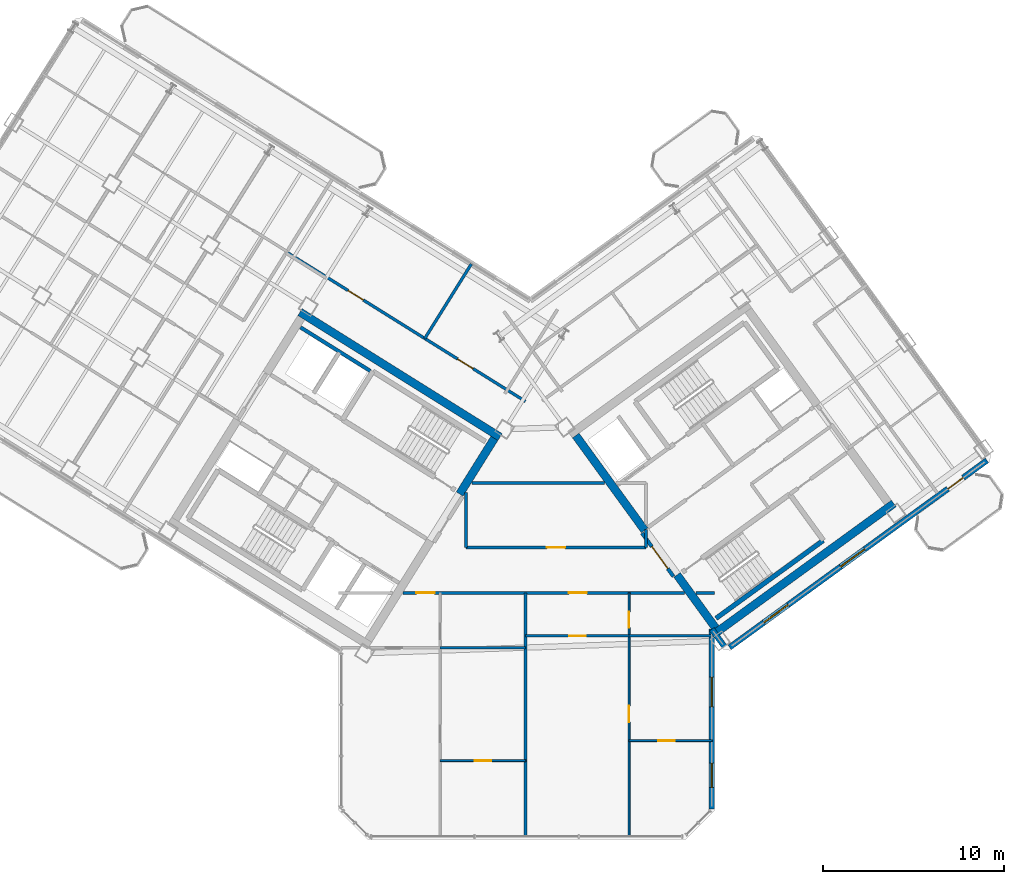
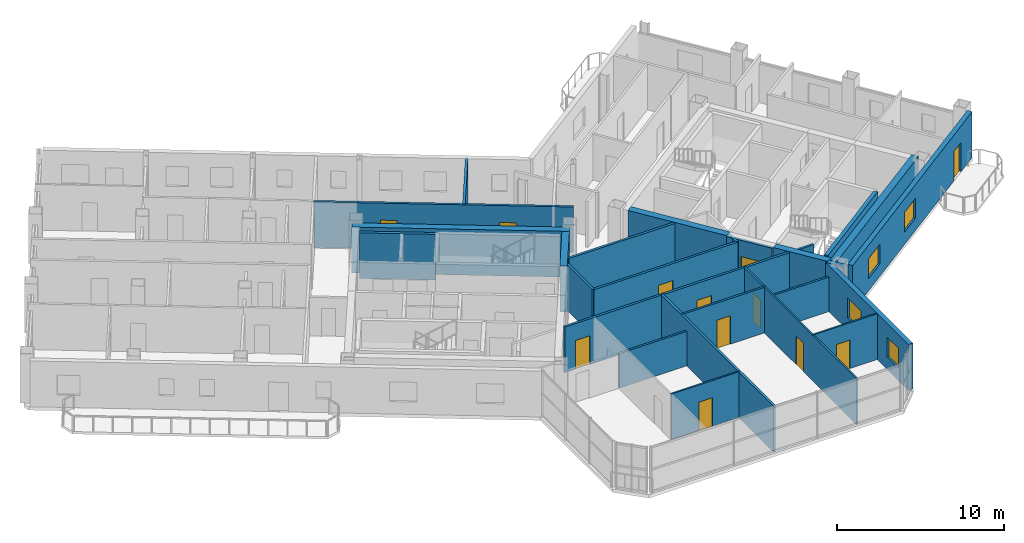
# One storey, part 13 of 21: 26 walls, 12 doors, 4 windows, 16 openings.
"""IFC4 building model written with IfcOpenShell, lengths in metres."""

from ifc_helpers import new_model, si_unit, direction, frame, frame_2d, origin, place, context, subcontext, project, spatial, rectangle, extrude, source, transform, mapped, material, layer, layer_set, type_object, element, fill, save


model = new_model("IFC4")

# Units and contexts
model_context = context("Model", 3, precision=1e-05, world=origin(), true_north=direction((0.0, 1.0)))
body_context = subcontext(model_context, "Body", "Model", "MODEL_VIEW")
ifc_project = project(units=[si_unit("LENGTHUNIT", "METRE"), si_unit("AREAUNIT", "SQUARE_METRE"), si_unit("VOLUMEUNIT", "CUBIC_METRE"), si_unit("PLANEANGLEUNIT", "RADIAN"), si_unit("MASSUNIT", "GRAM", prefix="KILO")], contexts=[model_context])

# Site, building, storey
site_placement = place(None, origin())
site = spatial("IfcSite", under=ifc_project, at=site_placement, CompositionType="ELEMENT")
building_placement = place(site_placement, origin())
building = spatial("IfcBuilding", under=site, at=building_placement, Name="Tlacorven Tower", CompositionType="ELEMENT")
storey_placement = place(building_placement, frame((0.0, 0.0, 222.0)))
storey = spatial("IfcBuildingStorey", under=building, at=storey_placement, Name="L56", CompositionType="ELEMENT", Elevation=222.0)

# Walls
ifc_material_1 = material(Name="Concrete C50/60", Category="concrete")
ifc_layer_1 = layer(ifc_material_1, 0.449951171875)
ifc_layer_set_1 = layer_set([ifc_layer_1], Name="Concrete C50/60")
wall_type_1 = type_object("IfcWallType", Name="WL-COR-450", PredefinedType="SHEAR", material=ifc_layer_set_1)
wall_1_placement = place(storey_placement, frame((40.53076171875, 24.036376953125, 0.0), z_axis=(0.0, 0.0, 1.0), x_axis=(-0.848048787466, 0.529918157905, 0.0)))
element("IfcWall", 1, at=wall_1_placement, inside=storey, type_object=wall_type_1, Name="L56 W core shear wall S1", PredefinedType="SHEAR", context=body_context, shape_type="SweptSolid", body=[
    extrude(rectangle(XDim=13.0400390625, YDim=0.449951171875, at=frame_2d((6.52001953125, 0.0))), origin(), (0.0, 0.0, 1.0), 3.35009765625),
])
wall_2_placement = place(storey_placement, frame((40.220703125, 23.96484375, 0.0), z_axis=(0.0, 0.0, 1.0), x_axis=(-0.529902075036, -0.848058836916, 0.0)))
element("IfcWall", 2, at=wall_2_placement, inside=storey, type_object=wall_type_1, Name="L56 W core end wall E1.1", PredefinedType="SHEAR", context=body_context, shape_type="SweptSolid", body=[
    extrude(rectangle(XDim=3.625, YDim=0.449951171875, at=frame_2d((1.8125, 0.0))), origin(), (0.0, 0.0, 1.0), 3.35009765625),
])
wall_3_placement = place(storey_placement, frame((52.3994140625, 13.169189453125, 0.0), z_axis=(0.0, 0.0, 1.0), x_axis=(0.809022352778, 0.587777877013, 0.0)))
element("IfcWall", 3, at=wall_3_placement, inside=storey, type_object=wall_type_1, Name="L56 E core shear wall S1", PredefinedType="SHEAR", context=body_context, shape_type="SweptSolid", body=[
    extrude(rectangle(XDim=12.239990234375, YDim=0.449951171875, at=frame_2d((6.1201171875, 0.0))), origin(), (0.0, 0.0, 1.0), 3.35009765625),
])
wall_4_placement = place(storey_placement, frame((52.44921875, 13.4833984375, 0.0), z_axis=(0.0, 0.0, 1.0), x_axis=(-0.587819244441, 0.808992296542, 0.0)))
element("IfcWall", 4, at=wall_4_placement, inside=storey, type_object=wall_type_1, Name="L56 E core end wall E1.1", PredefinedType="SHEAR", context=body_context, shape_type="SweptSolid", body=[
    extrude(rectangle(XDim=3.625, YDim=0.449951171875, at=frame_2d((1.8125, 0.0))), origin(), (0.0, 0.0, 1.0), 3.35009765625),
])
wall_5_placement = place(storey_placement, frame((48.525634765625, 18.883544921875, 0.0), z_axis=(0.0, 0.0, 1.0), x_axis=(-0.587774812919, 0.809024578921, 0.0)))
element("IfcWall", 5, at=wall_5_placement, inside=storey, type_object=wall_type_1, Name="L56 E core end wall E1.2", PredefinedType="SHEAR", context=body_context, shape_type="SweptSolid", body=[
    extrude(rectangle(XDim=6.47509765625, YDim=0.449951171875, at=frame_2d((3.237548828125, 0.0))), origin(), (0.0, 0.0, 1.0), 3.35009765625),
])

# Wall, openings, doors
ifc_material_2 = material(Name="Gypsum plasterboard acoustic partition", Category="gypsum")
ifc_layer_2 = layer(ifc_material_2, 0.159912109375)
ifc_layer_set_2 = layer_set([ifc_layer_2], Name="Gypsum plasterboard acoustic partition")
wall_type_2 = type_object("IfcWallType", Name="WL-DEM-160", PredefinedType="PARTITIONING", material=ifc_layer_set_2)
wall_6_placement = place(storey_placement, frame((41.93603515625, 26.011962890625, 0.0), z_axis=(0.0, 0.0, 1.0), x_axis=(-0.848051154596, 0.529914369676, 0.0)))
wall_6 = element("IfcWall", 6, at=wall_6_placement, inside=storey, type_object=wall_type_2, Name="L56 partition 58", PredefinedType="PARTITIONING", context=body_context, shape_type="SweptSolid", body=[
    extrude(rectangle(XDim=15.56982421875, YDim=0.159912109375, at=frame_2d((7.784912109375, 0.0))), origin(), (0.0, 0.0, 1.0), 3.340087890625),
])
opening_1_placement = place(wall_6_placement, frame((3.4150390625, 0.0, 0.0)))
opening_1 = element("IfcOpeningElement", 7, at=opening_1_placement, cuts=wall_6, Name="Opening D11", PredefinedType="OPENING", context=body_context, shape_type="SweptSolid", body=[
    extrude(rectangle(XDim=1.0, YDim=2.10009765625, at=frame_2d((0.5, 1.050048828125))), frame((0.0, 0.08984375, 0.0), z_axis=(0.0, -1.0, 0.0), x_axis=(1.0, 0.0, 0.0)), (0.0, 0.0, 1.0), 0.179931640625),
])
opening_2_placement = place(wall_6_placement, frame((10.56494140625, 0.0, 0.0)))
opening_2 = element("IfcOpeningElement", 8, at=opening_2_placement, cuts=wall_6, Name="Opening D11", PredefinedType="OPENING", context=body_context, shape_type="SweptSolid", body=[
    extrude(rectangle(XDim=1.0, YDim=2.10009765625, at=frame_2d((0.5, 1.050048828125))), frame((0.0, 0.08984375, 0.0), z_axis=(0.0, -1.0, 0.0), x_axis=(1.0, 0.0, 0.0)), (0.0, 0.0, 1.0), 0.179931640625),
])
ifc_material_3 = material(Name="Fire-rated steel door assembly", Category="steel")
door_type_1 = type_object("IfcDoorType", Name="DR-FLT-FD60-1000", OperationType="NOTDEFINED", PredefinedType="DOOR", material=ifc_material_3)
shared_shape_1 = source(origin(), body_context, "Body", "SweptSolid", [
    extrude(rectangle(XDim=1.0, YDim=2.10009765625, at=frame_2d((0.5, 1.050048828125))), frame((0.0, 0.02490234375, 0.0), z_axis=(0.0, -1.0, 0.0), x_axis=(1.0, 0.0, 0.0)), (0.0, 0.0, 1.0), 0.050048828125),
])
door_1_placement = place(opening_1_placement, origin())
door_1 = element("IfcDoor", 9, at=door_1_placement, inside=storey, type_object=door_type_1, Name="L56 door 038", OperationType="SINGLE_SWING_LEFT", OverallHeight=2.10009765625, OverallWidth=1.0, PredefinedType="DOOR", context=body_context, shape_type="MappedRepresentation", body=[
    mapped(shared_shape_1, transform((0.0, 0.0, 0.0), scale=1.0)),
])
fill(opening_1, door_1)
door_2_placement = place(opening_2_placement, origin())
door_2 = element("IfcDoor", 10, at=door_2_placement, inside=storey, type_object=door_type_1, Name="L56 door 039", OperationType="SINGLE_SWING_RIGHT", OverallHeight=2.10009765625, OverallWidth=1.0, PredefinedType="DOOR", context=body_context, shape_type="MappedRepresentation", body=[
    mapped(shared_shape_1, transform((0.0, 0.0, 0.0), scale=1.0)),
])
fill(opening_2, door_2)

# Wall
wall_7_placement = place(storey_placement, frame((38.943115234375, 33.60107421875, 0.0), z_axis=(0.0, 0.0, 1.0), x_axis=(-0.529949167559, -0.848029409752, 0.0)))
element("IfcWall", 11, at=wall_7_placement, inside=storey, type_object=wall_type_2, Name="L56 WC Demising Wall 1", PredefinedType="PARTITIONING", context=body_context, shape_type="SweptSolid", body=[
    extrude(rectangle(XDim=4.85009765625, YDim=0.159912109375, at=frame_2d((2.425048828125, 0.0))), origin(), (0.0, 0.0, 1.0), 3.340087890625),
])

# Wall, openings, doors
wall_8_placement = place(storey_placement, frame((35.178466796875, 15.419921875, 0.0), z_axis=(0.0, 0.0, 1.0), x_axis=(1.0, 0.0, 0.0)))
wall_8 = element("IfcWall", 12, at=wall_8_placement, inside=storey, type_object=wall_type_2, Name="L56 Knuckle Corridor South Wall", PredefinedType="PARTITIONING", context=body_context, shape_type="SweptSolid", body=[
    extrude(rectangle(XDim=15.55224609375, YDim=0.159912109375, at=frame_2d((7.776123046875, 0.0))), origin(), (0.0, 0.0, 1.0), 3.340087890625),
])
opening_3_placement = place(wall_8_placement, frame((0.732666015625, 0.0, 0.0)))
opening_3 = element("IfcOpeningElement", 13, at=opening_3_placement, cuts=wall_8, Name="Opening D11", PredefinedType="OPENING", context=body_context, shape_type="SweptSolid", body=[
    extrude(rectangle(XDim=1.0, YDim=2.10009765625, at=frame_2d((0.5, 1.050048828125))), frame((0.0, 0.08984375, 0.0), z_axis=(0.0, -1.0, 0.0), x_axis=(1.0, 0.0, 0.0)), (0.0, 0.0, 1.0), 0.179931640625),
])
opening_4_placement = place(wall_8_placement, frame((9.153076171875, 0.0, 0.0)))
opening_4 = element("IfcOpeningElement", 14, at=opening_4_placement, cuts=wall_8, Name="Opening D11", PredefinedType="OPENING", context=body_context, shape_type="SweptSolid", body=[
    extrude(rectangle(XDim=1.0, YDim=2.10009765625, at=frame_2d((0.5, 1.050048828125))), frame((0.0, 0.08984375, 0.0), z_axis=(0.0, -1.0, 0.0), x_axis=(1.0, 0.0, 0.0)), (0.0, 0.0, 1.0), 0.179931640625),
])
door_3_placement = place(opening_3_placement, frame((1.0, 0.0, 0.0), z_axis=(0.0, 0.0, 1.0), x_axis=(-1.0, 0.0, 0.0)))
door_3 = element("IfcDoor", 15, at=door_3_placement, inside=storey, type_object=door_type_1, Name="L56 door 045", OperationType="SINGLE_SWING_RIGHT", OverallHeight=2.10009765625, OverallWidth=1.0, PredefinedType="DOOR", context=body_context, shape_type="MappedRepresentation", body=[
    mapped(shared_shape_1, transform((0.0, 0.0, 0.0), scale=1.0)),
])
fill(opening_3, door_3)
door_4_placement = place(opening_4_placement, frame((1.0, 0.0, 0.0), z_axis=(0.0, 0.0, 1.0), x_axis=(-1.0, 0.0, 0.0)))
door_4 = element("IfcDoor", 16, at=door_4_placement, inside=storey, type_object=door_type_1, Name="L56 door 050", OperationType="SINGLE_SWING_LEFT", OverallHeight=2.10009765625, OverallWidth=1.0, PredefinedType="DOOR", context=body_context, shape_type="MappedRepresentation", body=[
    mapped(shared_shape_1, transform((0.0, 0.0, 0.0), scale=1.0)),
])
fill(opening_4, door_4)

# Wall
wall_9_placement = place(storey_placement, frame((51.353515625, 15.419921875, 0.0), z_axis=(0.0, 0.0, 1.0), x_axis=(1.0, 0.0, 0.0)))
element("IfcWall", 17, at=wall_9_placement, inside=storey, type_object=wall_type_2, Name="L56 Knuckle Corridor South Wall", PredefinedType="PARTITIONING", context=body_context, shape_type="SweptSolid", body=[
    extrude(rectangle(XDim=1.04638671875, YDim=0.159912109375, at=frame_2d((0.523193359375, 0.0))), origin(), (0.0, 0.0, 1.0), 3.340087890625),
])

# Wall, opening, door
wall_10_placement = place(storey_placement, frame((38.64990234375, 17.929931640625, 0.0), z_axis=(0.0, 0.0, 1.0), x_axis=(1.0, 0.0, 0.0)))
wall_10 = element("IfcWall", 18, at=wall_10_placement, inside=storey, type_object=wall_type_2, Name="L56 partition 63", PredefinedType="PARTITIONING", context=body_context, shape_type="SweptSolid", body=[
    extrude(rectangle(XDim=9.9501953125, YDim=0.159912109375, at=frame_2d((4.97509765625, 0.0))), origin(), (0.0, 0.0, 1.0), 3.340087890625),
])
opening_5_placement = place(wall_10_placement, frame((4.47509765625, 0.0, 0.0)))
opening_5 = element("IfcOpeningElement", 19, at=opening_5_placement, cuts=wall_10, Name="Opening D11", PredefinedType="OPENING", context=body_context, shape_type="SweptSolid", body=[
    extrude(rectangle(XDim=1.0, YDim=2.10009765625, at=frame_2d((0.5, 1.050048828125))), frame((0.0, 0.08984375, 0.0), z_axis=(0.0, -1.0, 0.0), x_axis=(1.0, 0.0, 0.0)), (0.0, 0.0, 1.0), 0.179931640625),
])
door_5_placement = place(opening_5_placement, origin())
door_5 = element("IfcDoor", 20, at=door_5_placement, inside=storey, type_object=door_type_1, Name="L56 door 040", OperationType="SINGLE_SWING_LEFT", OverallHeight=2.10009765625, OverallWidth=1.0, PredefinedType="DOOR", context=body_context, shape_type="MappedRepresentation", body=[
    mapped(shared_shape_1, transform((0.0, 0.0, 0.0), scale=1.0)),
])
fill(opening_5, door_5)

# Walls
wall_11_placement = place(storey_placement, frame((38.64990234375, 17.929931640625, 0.0), z_axis=(0.0, 0.0, 1.0), x_axis=(0.0, 1.0, 0.0)))
element("IfcWall", 21, at=wall_11_placement, inside=storey, type_object=wall_type_2, Name="L56 partition 64", PredefinedType="PARTITIONING", context=body_context, shape_type="SweptSolid", body=[
    extrude(rectangle(XDim=3.045654296875, YDim=0.159912109375, at=frame_2d((1.52294921875, 0.0))), origin(), (0.0, 0.0, 1.0), 3.340087890625),
])
wall_12_placement = place(storey_placement, frame((48.60009765625, 17.929931640625, 0.0), z_axis=(0.0, 0.0, 1.0), x_axis=(0.0, 1.0, 0.0)))
element("IfcWall", 22, at=wall_12_placement, inside=storey, type_object=wall_type_2, Name="L56 partition 65", PredefinedType="PARTITIONING", context=body_context, shape_type="SweptSolid", body=[
    extrude(rectangle(XDim=0.99267578125, YDim=0.159912109375, at=frame_2d((0.496337890625, 0.0))), origin(), (0.0, 0.0, 1.0), 3.340087890625),
])
wall_13_placement = place(storey_placement, frame((38.9775390625, 21.5, 0.0), z_axis=(0.0, 0.0, 1.0), x_axis=(1.0, 0.0, 0.0)))
element("IfcWall", 23, at=wall_13_placement, inside=storey, type_object=wall_type_2, Name="L56 partition 66", PredefinedType="PARTITIONING", context=body_context, shape_type="SweptSolid", body=[
    extrude(rectangle(XDim=7.335693359375, YDim=0.159912109375, at=frame_2d((3.66796875, 0.0))), origin(), (0.0, 0.0, 1.0), 3.340087890625),
])
wall_14_placement = place(storey_placement, frame((41.949951171875, 1.9599609375, 0.0), z_axis=(0.0, 0.0, 1.0), x_axis=(0.0, 1.0, 0.0)))
element("IfcWall", 24, at=wall_14_placement, inside=storey, type_object=wall_type_2, Name="L56 Knuckle Demising Wall 1", PredefinedType="PARTITIONING", context=body_context, shape_type="SweptSolid", body=[
    extrude(rectangle(XDim=13.4599609375, YDim=0.159912109375, at=frame_2d((6.72998046875, 0.0))), origin(), (0.0, 0.0, 1.0), 3.340087890625),
])

# Wall, openings, door, windows
ifc_material_4 = material(Name="Precast concrete C45/55", Category="concrete")
ifc_layer_3 = layer(ifc_material_4, 0.320068359375)
ifc_layer_set_3 = layer_set([ifc_layer_3], Name="Precast concrete C45/55")
wall_type_3 = type_object("IfcWallType", Name="WL-EXT-320", PredefinedType="STANDARD", material=ifc_layer_set_3)
wall_15_placement = place(storey_placement, frame((67.45361328125, 22.746826171875, 0.0), z_axis=(0.0, 0.0, 1.0), x_axis=(-0.809021120468, -0.587779573171, 0.0)))
wall_15 = element("IfcWall", 25, at=wall_15_placement, inside=storey, type_object=wall_type_3, Name="L56 Masonry-Frame Recessed Facade Wall 6", PredefinedType="STANDARD", context=body_context, shape_type="SweptSolid", body=[
    extrude(rectangle(XDim=17.587646484375, YDim=0.320068359375, at=frame_2d((8.7939453125, 0.0))), origin(), (0.0, 0.0, 1.0), 3.35009765625),
])
opening_6_placement = place(wall_15_placement, frame((1.623779296875, 0.0, 0.0)))
opening_6 = element("IfcOpeningElement", 26, at=opening_6_placement, cuts=wall_15, Name="Opening D06", PredefinedType="OPENING", context=body_context, shape_type="SweptSolid", body=[
    extrude(rectangle(XDim=1.050048828125, YDim=2.14990234375, at=frame_2d((0.52490234375, 1.074951171875))), frame((0.0, 0.169921875, 0.0), z_axis=(0.0, -1.0, 0.0), x_axis=(1.0, 0.0, 0.0)), (0.0, 0.0, 1.0), 0.340087890625),
])
opening_7_placement = place(wall_15_placement, frame((8.34375, 0.0, 0.89990234375)))
opening_7 = element("IfcOpeningElement", 27, at=opening_7_placement, cuts=wall_15, Name="Opening WN07", PredefinedType="OPENING", context=body_context, shape_type="SweptSolid", body=[
    extrude(rectangle(XDim=1.64990234375, YDim=1.449951171875, at=frame_2d((0.824951171875, 0.72509765625))), frame((0.0, 0.169921875, 0.0), z_axis=(0.0, -1.0, 0.0), x_axis=(1.0, 0.0, 0.0)), (0.0, 0.0, 1.0), 0.340087890625),
])
opening_8_placement = place(wall_15_placement, frame((13.59375, 0.0, 0.89990234375)))
opening_8 = element("IfcOpeningElement", 28, at=opening_8_placement, cuts=wall_15, Name="Opening WN07", PredefinedType="OPENING", context=body_context, shape_type="SweptSolid", body=[
    extrude(rectangle(XDim=1.64990234375, YDim=1.449951171875, at=frame_2d((0.824951171875, 0.72509765625))), frame((0.0, 0.169921875, 0.0), z_axis=(0.0, -1.0, 0.0), x_axis=(1.0, 0.0, 0.0)), (0.0, 0.0, 1.0), 0.340087890625),
])
ifc_material_5 = material(Name="Powder-coated aluminium and timber door", Category="wood")
door_type_2 = type_object("IfcDoorType", Name="DR-EXT-BALC-1050", OperationType="NOTDEFINED", PredefinedType="DOOR", material=ifc_material_5)
shared_shape_2 = source(origin(), body_context, "Body", "SweptSolid", [
    extrude(rectangle(XDim=1.050048828125, YDim=2.14990234375, at=frame_2d((0.52490234375, 1.074951171875))), frame((0.0, 0.02490234375, 0.0), z_axis=(0.0, -1.0, 0.0), x_axis=(1.0, 0.0, 0.0)), (0.0, 0.0, 1.0), 0.050048828125),
])
door_6_placement = place(opening_6_placement, origin())
door_6 = element("IfcDoor", 29, at=door_6_placement, inside=storey, type_object=door_type_2, Name="L56 Outdoor Access Door BAL-L56-E-OUT", OperationType="SINGLE_SWING_LEFT", OverallHeight=2.14990234375, OverallWidth=1.050048828125, PredefinedType="DOOR", context=body_context, shape_type="MappedRepresentation", body=[
    mapped(shared_shape_2, transform((0.0, 0.0, 0.0), scale=1.0)),
])
fill(opening_6, door_6)
ifc_material_6 = material(Name="Dark solar low-E double glazing in anodised aluminium frame", Category="aluminium")
window_type_1 = type_object("IfcWindowType", Name="WN-APT-1650X1600", PartitioningType="SINGLE_PANEL", PredefinedType="WINDOW", material=ifc_material_6)
shared_shape_3 = source(origin(), body_context, "Body", "SweptSolid", [
    extrude(rectangle(XDim=1.64990234375, YDim=1.449951171875, at=frame_2d((0.824951171875, 0.72509765625))), frame((0.0, 0.030029296875, 0.0), z_axis=(0.0, -1.0, 0.0), x_axis=(1.0, 0.0, 0.0)), (0.0, 0.0, 1.0), 0.06005859375),
])
window_1_placement = place(opening_7_placement, origin())
window_1 = element("IfcWindow", 30, at=window_1_placement, inside=storey, type_object=window_type_1, Name="L56 Recessed Masonry-Frame Window L56-06.1", OverallHeight=1.449951171875, OverallWidth=1.64990234375, PartitioningType="SINGLE_PANEL", PredefinedType="WINDOW", context=body_context, shape_type="MappedRepresentation", body=[
    mapped(shared_shape_3, transform((0.0, 0.0, 0.0), scale=1.0)),
])
fill(opening_7, window_1)
window_2_placement = place(opening_8_placement, origin())
window_2 = element("IfcWindow", 31, at=window_2_placement, inside=storey, type_object=window_type_1, Name="L56 Recessed Masonry-Frame Window L56-06.2", OverallHeight=1.449951171875, OverallWidth=1.64990234375, PartitioningType="SINGLE_PANEL", PredefinedType="WINDOW", context=body_context, shape_type="MappedRepresentation", body=[
    mapped(shared_shape_3, transform((0.0, 0.0, 0.0), scale=1.0)),
])
fill(opening_8, window_2)

# Wall
wall_16_placement = place(storey_placement, frame((52.936767578125, 12.454833984375, 0.0), z_axis=(0.0, 0.0, 1.0), x_axis=(-0.587706324018, 0.809074333241, 0.0)))
element("IfcWall", 32, at=wall_16_placement, inside=storey, type_object=wall_type_3, Name="L56 Masonry-Frame Recessed Facade Wall 7", PredefinedType="STANDARD", context=body_context, shape_type="SweptSolid", body=[
    extrude(rectangle(XDim=1.185546875, YDim=0.320068359375, at=frame_2d((0.5927734375, 0.0))), origin(), (0.0, 0.0, 1.0), 3.35009765625),
])

# Wall, openings, windows
wall_17_placement = place(storey_placement, frame((52.239990234375, 13.4140625, 0.0), z_axis=(0.0, 0.0, 1.0), x_axis=(0.0, -1.0, 0.0)))
wall_17 = element("IfcWall", 33, at=wall_17_placement, inside=storey, type_object=wall_type_3, Name="L56 Masonry-Frame Recessed Facade Wall 8", PredefinedType="STANDARD", context=body_context, shape_type="SweptSolid", body=[
    extrude(rectangle(XDim=9.94775390625, YDim=0.320068359375, at=frame_2d((4.973876953125, 0.0))), origin(), (0.0, 0.0, 1.0), 3.35009765625),
])
opening_9_placement = place(wall_17_placement, frame((2.642578125, 0.0, 0.89990234375)))
opening_9 = element("IfcOpeningElement", 34, at=opening_9_placement, cuts=wall_17, Name="Opening WN07", PredefinedType="OPENING", context=body_context, shape_type="SweptSolid", body=[
    extrude(rectangle(XDim=1.64990234375, YDim=1.449951171875, at=frame_2d((0.824951171875, 0.72509765625))), frame((0.0, 0.169921875, 0.0), z_axis=(0.0, -1.0, 0.0), x_axis=(1.0, 0.0, 0.0)), (0.0, 0.0, 1.0), 0.340087890625),
])
opening_10_placement = place(wall_17_placement, frame((7.408447265625, 0.0, 0.89990234375)))
opening_10 = element("IfcOpeningElement", 35, at=opening_10_placement, cuts=wall_17, Name="Opening WN08", PredefinedType="OPENING", context=body_context, shape_type="SweptSolid", body=[
    extrude(rectangle(XDim=1.35009765625, YDim=1.449951171875, at=frame_2d((0.675048828125, 0.72509765625))), frame((0.0, 0.169921875, 0.0), z_axis=(0.0, -1.0, 0.0), x_axis=(1.0, 0.0, 0.0)), (0.0, 0.0, 1.0), 0.340087890625),
])
window_3_placement = place(opening_9_placement, origin())
window_3 = element("IfcWindow", 36, at=window_3_placement, inside=storey, type_object=window_type_1, Name="L56 Recessed Masonry-Frame Window L56-08.1", OverallHeight=1.449951171875, OverallWidth=1.64990234375, PartitioningType="SINGLE_PANEL", PredefinedType="WINDOW", context=body_context, shape_type="MappedRepresentation", body=[
    mapped(shared_shape_3, transform((0.0, 0.0, 0.0), scale=1.0)),
])
fill(opening_9, window_3)
window_type_2 = type_object("IfcWindowType", Name="WN-APT-1350X1550", PartitioningType="SINGLE_PANEL", PredefinedType="WINDOW", material=ifc_material_6)
shared_shape_4 = source(origin(), body_context, "Body", "SweptSolid", [
    extrude(rectangle(XDim=1.35009765625, YDim=1.449951171875, at=frame_2d((0.675048828125, 0.72509765625))), frame((0.0, 0.030029296875, 0.0), z_axis=(0.0, -1.0, 0.0), x_axis=(1.0, 0.0, 0.0)), (0.0, 0.0, 1.0), 0.06005859375),
])
window_4_placement = place(opening_10_placement, origin())
window_4 = element("IfcWindow", 37, at=window_4_placement, inside=storey, type_object=window_type_2, Name="L56 Recessed Masonry-Frame Window L56-08.2", OverallHeight=1.449951171875, OverallWidth=1.35009765625, PartitioningType="SINGLE_PANEL", PredefinedType="WINDOW", context=body_context, shape_type="MappedRepresentation", body=[
    mapped(shared_shape_4, transform((0.0, 0.0, 0.0), scale=1.0)),
])
fill(opening_10, window_4)

# Wall, opening, door
ifc_material_7 = material(Name="Gypsum plasterboard partition", Category="gypsum")
ifc_layer_4 = layer(ifc_material_7, 0.110107421875)
ifc_layer_set_4 = layer_set([ifc_layer_4], Name="Gypsum plasterboard partition")
wall_type_4 = type_object("IfcWallType", Name="WL-INT-110", PredefinedType="PARTITIONING", material=ifc_layer_set_4)
wall_18_placement = place(storey_placement, frame((37.221923828125, 6.14990234375, 0.0), z_axis=(0.0, 0.0, 1.0), x_axis=(1.0, 0.0, 0.0)))
wall_18 = element("IfcWall", 38, at=wall_18_placement, inside=storey, type_object=wall_type_4, Name="L56 partition 72", PredefinedType="PARTITIONING", context=body_context, shape_type="SweptSolid", body=[
    extrude(rectangle(XDim=4.72802734375, YDim=0.110107421875, at=frame_2d((2.364013671875, 0.0))), origin(), (0.0, 0.0, 1.0), 3.340087890625),
])
opening_11_placement = place(wall_18_placement, frame((1.904052734375, 0.0, 0.0)))
opening_11 = element("IfcOpeningElement", 39, at=opening_11_placement, cuts=wall_18, Name="Opening D12", PredefinedType="OPENING", context=body_context, shape_type="SweptSolid", body=[
    extrude(rectangle(XDim=0.919921875, YDim=2.080078125, at=frame_2d((0.4599609375, 1.0400390625))), frame((0.0, 0.06494140625, 0.0), z_axis=(0.0, -1.0, 0.0), x_axis=(1.0, 0.0, 0.0)), (0.0, 0.0, 1.0), 0.130126953125),
])
door_type_3 = type_object("IfcDoorType", Name="DR-INT-ROOM-0920", OperationType="NOTDEFINED", PredefinedType="DOOR", material=ifc_material_5)
shared_shape_5 = source(origin(), body_context, "Body", "SweptSolid", [
    extrude(rectangle(XDim=0.919921875, YDim=2.080078125, at=frame_2d((0.4599609375, 1.0400390625))), frame((0.0, 0.02490234375, 0.0), z_axis=(0.0, -1.0, 0.0), x_axis=(1.0, 0.0, 0.0)), (0.0, 0.0, 1.0), 0.050048828125),
])
door_7_placement = place(opening_11_placement, origin())
door_7 = element("IfcDoor", 40, at=door_7_placement, inside=storey, type_object=door_type_3, Name="L56 door 044", OperationType="SINGLE_SWING_LEFT", OverallHeight=2.080078125, OverallWidth=0.919921875, PredefinedType="DOOR", context=body_context, shape_type="MappedRepresentation", body=[
    mapped(shared_shape_5, transform((0.0, 0.0, 0.0), scale=1.0)),
])
fill(opening_11, door_7)

# Wall, openings, doors
wall_19_placement = place(storey_placement, frame((47.6630859375, 1.9599609375, 0.0), z_axis=(0.0, 0.0, 1.0), x_axis=(0.0, 1.0, 0.0)))
wall_19 = element("IfcWall", 41, at=wall_19_placement, inside=storey, type_object=wall_type_4, Name="L56 partition 73", PredefinedType="PARTITIONING", context=body_context, shape_type="SweptSolid", body=[
    extrude(rectangle(XDim=13.4599609375, YDim=0.110107421875, at=frame_2d((6.72998046875, 0.0))), origin(), (0.0, 0.0, 1.0), 3.340087890625),
])
opening_12_placement = place(wall_19_placement, frame((6.300048828125, 0.0, 0.0)))
opening_12 = element("IfcOpeningElement", 42, at=opening_12_placement, cuts=wall_19, Name="Opening D12", PredefinedType="OPENING", context=body_context, shape_type="SweptSolid", body=[
    extrude(rectangle(XDim=0.919921875, YDim=2.080078125, at=frame_2d((0.4599609375, 1.0400390625))), frame((0.0, 0.06494140625, 0.0), z_axis=(0.0, -1.0, 0.0), x_axis=(1.0, 0.0, 0.0)), (0.0, 0.0, 1.0), 0.130126953125),
])
opening_13_placement = place(wall_19_placement, frame((11.5400390625, 0.0, 0.0)))
opening_13 = element("IfcOpeningElement", 43, at=opening_13_placement, cuts=wall_19, Name="Opening D13", PredefinedType="OPENING", context=body_context, shape_type="SweptSolid", body=[
    extrude(rectangle(XDim=0.8798828125, YDim=2.080078125, at=frame_2d((0.43994140625, 1.0400390625))), frame((0.0, 0.06494140625, 0.0), z_axis=(0.0, -1.0, 0.0), x_axis=(1.0, 0.0, 0.0)), (0.0, 0.0, 1.0), 0.130126953125),
])
door_type_4 = type_object("IfcDoorType", Name="DR-INT-WET-0880", OperationType="NOTDEFINED", PredefinedType="DOOR", material=ifc_material_5)
shared_shape_6 = source(origin(), body_context, "Body", "SweptSolid", [
    extrude(rectangle(XDim=0.8798828125, YDim=2.080078125, at=frame_2d((0.43994140625, 1.0400390625))), frame((0.0, 0.02490234375, 0.0), z_axis=(0.0, -1.0, 0.0), x_axis=(1.0, 0.0, 0.0)), (0.0, 0.0, 1.0), 0.050048828125),
])
door_8_placement = place(opening_13_placement, origin())
door_8 = element("IfcDoor", 44, at=door_8_placement, inside=storey, type_object=door_type_4, Name="L56 door 052", OperationType="SINGLE_SWING_LEFT", OverallHeight=2.080078125, OverallWidth=0.8798828125, PredefinedType="DOOR", context=body_context, shape_type="MappedRepresentation", body=[
    mapped(shared_shape_6, transform((0.0, 0.0, 0.0), scale=1.0)),
])
fill(opening_13, door_8)
door_9_placement = place(opening_12_placement, origin())
door_9 = element("IfcDoor", 45, at=door_9_placement, inside=storey, type_object=door_type_3, Name="L56 door 048", OperationType="SINGLE_SWING_LEFT", OverallHeight=2.080078125, OverallWidth=0.919921875, PredefinedType="DOOR", context=body_context, shape_type="MappedRepresentation", body=[
    mapped(shared_shape_5, transform((0.0, 0.0, 0.0), scale=1.0)),
])
fill(opening_12, door_9)

# Wall, opening, door
wall_20_placement = place(storey_placement, frame((47.6630859375, 7.25, 0.0), z_axis=(0.0, 0.0, 1.0), x_axis=(1.0, 0.0, 0.0)))
wall_20 = element("IfcWall", 46, at=wall_20_placement, inside=storey, type_object=wall_type_4, Name="L56 partition 76", PredefinedType="PARTITIONING", context=body_context, shape_type="SweptSolid", body=[
    extrude(rectangle(XDim=4.596923828125, YDim=0.110107421875, at=frame_2d((2.29833984375, 0.0))), origin(), (0.0, 0.0, 1.0), 3.340087890625),
])
opening_14_placement = place(wall_20_placement, frame((1.6083984375, 0.0, 0.0)))
opening_14 = element("IfcOpeningElement", 47, at=opening_14_placement, cuts=wall_20, Name="Opening D12", PredefinedType="OPENING", context=body_context, shape_type="SweptSolid", body=[
    extrude(rectangle(XDim=0.919921875, YDim=2.080078125, at=frame_2d((0.4599609375, 1.0400390625))), frame((0.0, 0.06494140625, 0.0), z_axis=(0.0, -1.0, 0.0), x_axis=(1.0, 0.0, 0.0)), (0.0, 0.0, 1.0), 0.130126953125),
])
door_10_placement = place(opening_14_placement, origin())
door_10 = element("IfcDoor", 48, at=door_10_placement, inside=storey, type_object=door_type_3, Name="L56 door 049", OperationType="SINGLE_SWING_RIGHT", OverallHeight=2.080078125, OverallWidth=0.919921875, PredefinedType="DOOR", context=body_context, shape_type="MappedRepresentation", body=[
    mapped(shared_shape_5, transform((0.0, 0.0, 0.0), scale=1.0)),
])
fill(opening_14, door_10)

# Wall
ifc_material_8 = material(Name="Moisture-resistant gypsum plumbing wall", Category="gypsum")
ifc_layer_5 = layer(ifc_material_8, 0.139892578125)
ifc_layer_set_5 = layer_set([ifc_layer_5], Name="Moisture-resistant gypsum plumbing wall")
wall_type_5 = type_object("IfcWallType", Name="WL-PLM-140", PredefinedType="PLUMBINGWALL", material=ifc_layer_set_5)
wall_21_placement = place(storey_placement, frame((37.221923828125, 12.389892578125, 0.0), z_axis=(0.0, 0.0, 1.0), x_axis=(1.0, 0.0, 0.0)))
element("IfcWall", 49, at=wall_21_placement, inside=storey, type_object=wall_type_5, Name="L56 partition 71", PredefinedType="PLUMBINGWALL", context=body_context, shape_type="SweptSolid", body=[
    extrude(rectangle(XDim=4.72802734375, YDim=0.139892578125, at=frame_2d((2.364013671875, 0.0))), origin(), (0.0, 0.0, 1.0), 2.52490234375),
])

# Wall, opening, door
wall_22_placement = place(storey_placement, frame((41.949951171875, 13.0400390625, 0.0), z_axis=(0.0, 0.0, 1.0), x_axis=(1.0, 0.0, 0.0)))
wall_22 = element("IfcWall", 50, at=wall_22_placement, inside=storey, type_object=wall_type_5, Name="L56 partition 74", PredefinedType="PLUMBINGWALL", context=body_context, shape_type="SweptSolid", body=[
    extrude(rectangle(XDim=5.713134765625, YDim=0.139892578125, at=frame_2d((2.8564453125, 0.0))), origin(), (0.0, 0.0, 1.0), 3.340087890625),
])
opening_15_placement = place(wall_22_placement, frame((2.396484375, 0.0, 0.0)))
opening_15 = element("IfcOpeningElement", 51, at=opening_15_placement, cuts=wall_22, Name="Opening D12", PredefinedType="OPENING", context=body_context, shape_type="SweptSolid", body=[
    extrude(rectangle(XDim=0.919921875, YDim=2.080078125, at=frame_2d((0.4599609375, 1.0400390625))), frame((0.0, 0.080078125, 0.0), z_axis=(0.0, -1.0, 0.0), x_axis=(1.0, 0.0, 0.0)), (0.0, 0.0, 1.0), 0.159912109375),
])
door_11_placement = place(opening_15_placement, frame((0.919921875, 0.0, 0.0), z_axis=(0.0, 0.0, 1.0), x_axis=(-1.0, 0.0, 0.0)))
door_11 = element("IfcDoor", 52, at=door_11_placement, inside=storey, type_object=door_type_3, Name="L56 door 051", OperationType="SINGLE_SWING_RIGHT", OverallHeight=2.080078125, OverallWidth=0.919921875, PredefinedType="DOOR", context=body_context, shape_type="MappedRepresentation", body=[
    mapped(shared_shape_5, transform((0.0, 0.0, 0.0), scale=1.0)),
])
fill(opening_15, door_11)

# Walls
wall_23_placement = place(storey_placement, frame((47.6630859375, 13.0400390625, 0.0), z_axis=(0.0, 0.0, 1.0), x_axis=(1.0, 0.0, 0.0)))
element("IfcWall", 53, at=wall_23_placement, inside=storey, type_object=wall_type_5, Name="L56 partition 75", PredefinedType="PLUMBINGWALL", context=body_context, shape_type="SweptSolid", body=[
    extrude(rectangle(XDim=4.596923828125, YDim=0.139892578125, at=frame_2d((2.29833984375, 0.0))), origin(), (0.0, 0.0, 1.0), 2.52490234375),
])
ifc_material_9 = material(Name="Concrete C40/50", Category="concrete")
ifc_layer_6 = layer(ifc_material_9, 0.199951171875)
ifc_layer_set_6 = layer_set([ifc_layer_6], Name="Concrete C40/50")
wall_type_6 = type_object("IfcWallType", Name="WL-SHF-200", PredefinedType="STANDARD", material=ifc_layer_set_6)
wall_24_placement = place(storey_placement, frame((33.362548828125, 27.690185546875, 0.0), z_axis=(0.0, 0.0, 1.0), x_axis=(-0.84804957148, 0.529916903215, 0.0)))
element("IfcWall", 54, at=wall_24_placement, inside=storey, type_object=wall_type_6, Name="L56 partition 14", PredefinedType="STANDARD", context=body_context, shape_type="SweptSolid", body=[
    extrude(rectangle(XDim=4.547607421875, YDim=0.199951171875, at=frame_2d((2.27392578125, 0.0))), origin(), (0.0, 0.0, 1.0), 3.340087890625),
])

# Wall, opening, door
wall_25_placement = place(storey_placement, frame((50.119140625, 16.3330078125, 0.0), z_axis=(0.0, 0.0, 1.0), x_axis=(-0.587749856981, 0.809042709391, 0.0)))
wall_25 = element("IfcWall", 55, at=wall_25_placement, inside=storey, type_object=wall_type_6, Name="L56 partition 67", PredefinedType="STANDARD", context=body_context, shape_type="SweptSolid", body=[
    extrude(rectangle(XDim=2.9599609375, YDim=0.199951171875, at=frame_2d((1.47998046875, 0.0))), origin(), (0.0, 0.0, 1.0), 3.340087890625),
])
opening_16_placement = place(wall_25_placement, frame((0.530029296875, 0.0, 0.0)))
opening_16 = element("IfcOpeningElement", 56, at=opening_16_placement, cuts=wall_25, Name="Opening D10", PredefinedType="OPENING", context=body_context, shape_type="SweptSolid", body=[
    extrude(rectangle(XDim=1.5, YDim=2.14990234375, at=frame_2d((0.75, 1.074951171875))), frame((0.0, 0.10986328125, 0.0), z_axis=(0.0, -1.0, 0.0), x_axis=(1.0, 0.0, 0.0)), (0.0, 0.0, 1.0), 0.219970703125),
])
door_type_5 = type_object("IfcDoorType", Name="DR-LOB-FD60-1500", OperationType="DOUBLE_DOOR_SINGLE_SWING", PredefinedType="DOOR", material=ifc_material_3)
shared_shape_7 = source(origin(), body_context, "Body", "SweptSolid", [
    extrude(rectangle(XDim=1.5, YDim=2.14990234375, at=frame_2d((0.75, 1.074951171875))), frame((0.0, 0.02490234375, 0.0), z_axis=(0.0, -1.0, 0.0), x_axis=(1.0, 0.0, 0.0)), (0.0, 0.0, 1.0), 0.050048828125),
])
door_12_placement = place(opening_16_placement, frame((1.5, 0.0, 0.0), z_axis=(0.0, 0.0, 1.0), x_axis=(-1.0, 0.0, 0.0)))
door_12 = element("IfcDoor", 57, at=door_12_placement, inside=storey, type_object=door_type_5, Name="L56 door 042", OperationType="DOUBLE_DOOR_SINGLE_SWING", OverallHeight=2.14990234375, OverallWidth=1.5, PredefinedType="DOOR", context=body_context, shape_type="MappedRepresentation", body=[
    mapped(shared_shape_7, transform((0.0, 0.0, 0.0), scale=1.0)),
])
fill(opening_16, door_12)

# Wall
ifc_layer_7 = layer(ifc_material_1, 0.260009765625)
ifc_layer_set_7 = layer_set([ifc_layer_7], Name="Concrete C50/60")
wall_type_7 = type_object("IfcWallType", Name="WL-STW-260", PredefinedType="SHEAR", material=ifc_layer_set_7)
wall_26_placement = place(storey_placement, frame((52.47216796875, 14.01318359375, 0.0), z_axis=(0.0, 0.0, 1.0), x_axis=(0.809028366311, 0.587769599847, 0.0)))
element("IfcWall", 58, at=wall_26_placement, inside=storey, type_object=wall_type_7, Name="L56 Stair E2 Far Shear Wall", PredefinedType="SHEAR", context=body_context, shape_type="SweptSolid", body=[
    extrude(rectangle(XDim=7.330078125, YDim=0.260009765625, at=frame_2d((3.6650390625, 0.0))), origin(), (0.0, 0.0, 1.0), 3.35009765625),
])

save(model, "model.ifc")
